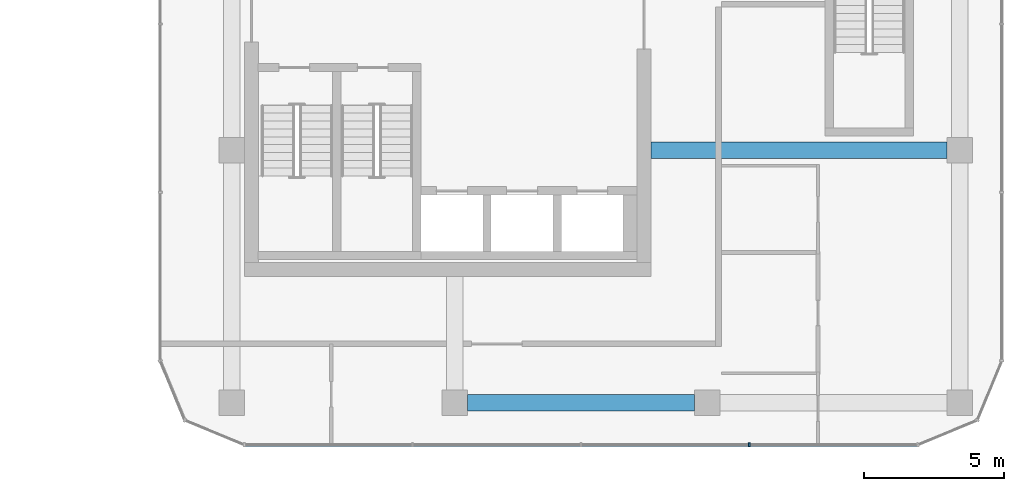
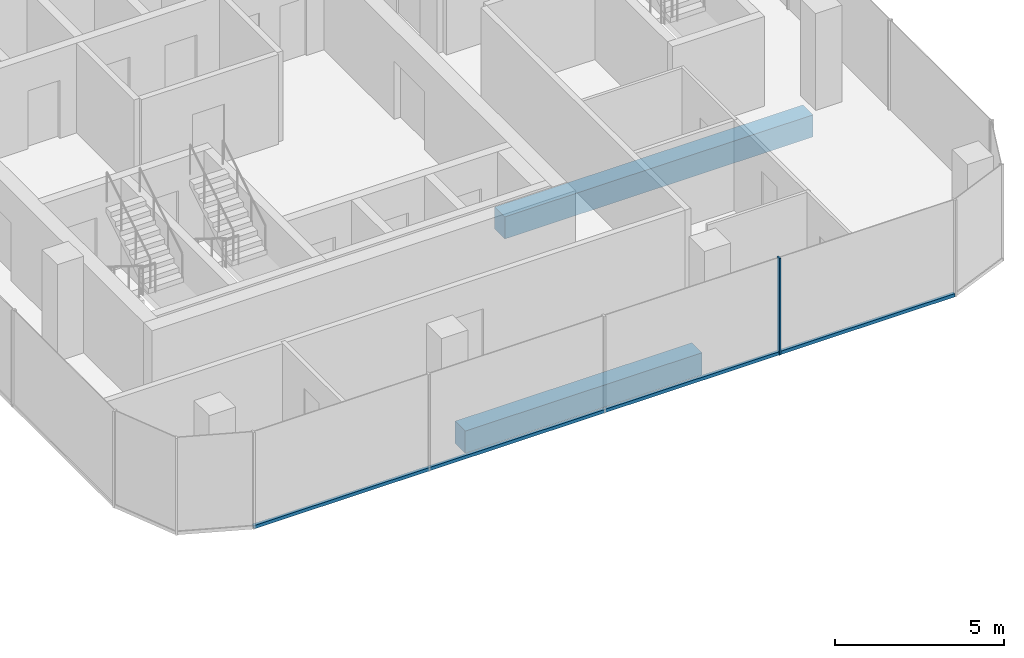
# One storey, part 8 of 23: 2 beams, 2 members, 1 element without a shape of its own.
"""IFC4 building model written with IfcOpenShell, lengths in metres."""

from ifc_helpers import new_model, si_unit, direction, frame, origin, origin_2d, place, context, subcontext, project, spatial, rectangle, extrude, material, layer, layer_set, material_profile, profile_set, type_object, element, aggregate, save


model = new_model("IFC4")

# Units and contexts
model_context = context("Model", 3, precision=1e-05, world=origin(), true_north=direction((0.0, 1.0)))
body_context = subcontext(model_context, "Body", "Model", "MODEL_VIEW")
ifc_project = project(units=[si_unit("LENGTHUNIT", "METRE"), si_unit("AREAUNIT", "SQUARE_METRE"), si_unit("VOLUMEUNIT", "CUBIC_METRE"), si_unit("PLANEANGLEUNIT", "RADIAN"), si_unit("MASSUNIT", "GRAM", prefix="KILO")], contexts=[model_context])

# Site, building, storey
site_placement = place(None, origin())
site = spatial("IfcSite", under=ifc_project, at=site_placement, CompositionType="ELEMENT")
building_placement = place(site_placement, origin())
building = spatial("IfcBuilding", under=site, at=building_placement, Name="Plateau Cross Towers", CompositionType="ELEMENT")
storey_placement = place(building_placement, frame((0.0, 0.0, 40.800048828125)))
storey = spatial("IfcBuildingStorey", under=building, at=storey_placement, Name="L09", CompositionType="ELEMENT", Elevation=40.800048828125)

# Beam
ifc_material_1 = material(Name="Concrete C60/75", Category="concrete")
ifc_material_profile_1 = material_profile(ifc_material_1, rectangle(XDim=0.60009765625, YDim=0.800048828125, at=origin_2d()), Name="RC 600x800")
ifc_profile_set_1 = profile_set([ifc_material_profile_1], Name="Concrete C60/75")
beam_type_1 = type_object("IfcBeamType", Name="Core beam RC 600x800", PredefinedType="BEAM", material=ifc_profile_set_1)
beam_1_placement = place(storey_placement, frame((89.5, 4.5, -0.650146484375), z_axis=(1.0, 0.0, 0.0), x_axis=(0.0, 1.0, 0.0)))
element("IfcBeam", 1, at=beam_1_placement, inside=storey, type_object=beam_type_1, Name="B-CB02@L09", PredefinedType="BEAM", context=body_context, shape_type="SweptSolid", body=[
    extrude(rectangle(XDim=0.60009765625, YDim=0.800048828125, at=origin_2d()), origin(), (0.0, 0.0, 1.0), 10.550048828125),
])

# Curtain wall, member
ifc_material_2 = material(Name="Dark low-iron glass", Category="glass")
ifc_layer = layer(ifc_material_2, 0.239990234375)
ifc_layer_set = layer_set([ifc_layer], Name="Dark low-iron glass")
curtain_wall_type = type_object("IfcCurtainWallType", Name="Curtain wall office unitised CW-F", PredefinedType="NOTDEFINED", material=ifc_layer_set)
curtain_wall_placement = place(storey_placement, origin())
curtain_wall = element("IfcCurtainWall", 2, at=curtain_wall_placement, inside=storey, type_object=curtain_wall_type, Name="ENV/B/L09/B750_-60", PredefinedType="NOTDEFINED")
ifc_material_3 = material(Name="Black anodised aluminium", Category="aluminium")
ifc_material_profile_2 = material_profile(ifc_material_3, rectangle(XDim=0.06005859375, YDim=0.139892578125, at=origin_2d()), Name="MULLION 60x140")
ifc_profile_set_2 = profile_set([ifc_material_profile_2], Name="Black anodised aluminium")
member_type_1 = type_object("IfcMemberType", Name="Mullion 60x140 office unitised", PredefinedType="MULLION", material=ifc_profile_set_2)
member_1_placement = place(storey_placement, frame((93.0, -6.0, -0.25), z_axis=(0.0, 0.0, 1.0), x_axis=(1.0, 0.0, 0.0)))
member_1 = element("IfcMember", 3, at=member_1_placement, type_object=member_type_1, Name="CW-F mullion 4", PredefinedType="MULLION", context=body_context, shape_type="SweptSolid", body=[
    extrude(rectangle(XDim=0.06005859375, YDim=0.139892578125, at=origin_2d()), origin(), (0.0, 0.0, 1.0), 3.5),
])

# Beam
ifc_material_profile_3 = material_profile(ifc_material_1, rectangle(XDim=0.60009765625, YDim=0.800048828125, at=origin_2d()), Name="RC 600x800")
ifc_profile_set_3 = profile_set([ifc_material_profile_3], Name="Concrete C60/75")
beam_type_2 = type_object("IfcBeamType", Name="Ring beam RC 600x800", PredefinedType="BEAM", material=ifc_profile_set_3)
beam_2_placement = place(storey_placement, frame((82.949951171875, -4.5, -0.650146484375), z_axis=(1.0, 0.0, 0.0), x_axis=(0.0, 1.0, 0.0)))
element("IfcBeam", 4, at=beam_2_placement, inside=storey, type_object=beam_type_2, Name="B-RB01@L09", PredefinedType="BEAM", context=body_context, shape_type="SweptSolid", body=[
    extrude(rectangle(XDim=0.60009765625, YDim=0.800048828125, at=origin_2d()), origin(), (0.0, 0.0, 1.0), 8.10009765625),
])

# Member
ifc_material_profile_4 = material_profile(ifc_material_3, rectangle(XDim=0.10009765625, YDim=0.1201171875, at=origin_2d()), Name="TRANSOM 100x120")
ifc_profile_set_4 = profile_set([ifc_material_profile_4], Name="Black anodised aluminium")
member_type_2 = type_object("IfcMemberType", Name="Transom 100x120 office unitised", PredefinedType="USERDEFINED", material=ifc_profile_set_4)
member_2_placement = place(storey_placement, frame((75.0, -6.0, -0.18994140625), z_axis=(1.0, 0.0, 0.0), x_axis=(0.0, 1.0, 0.0)))
member_2 = element("IfcMember", 5, at=member_2_placement, type_object=member_type_2, Name="CW-F transom", ObjectType="TRANSOM", PredefinedType="USERDEFINED", context=body_context, shape_type="SweptSolid", body=[
    extrude(rectangle(XDim=0.10009765625, YDim=0.1201171875, at=origin_2d()), origin(), (0.0, 0.0, 1.0), 24.0),
])

aggregate(curtain_wall, [member_1, member_2])

save(model, "model.ifc")
